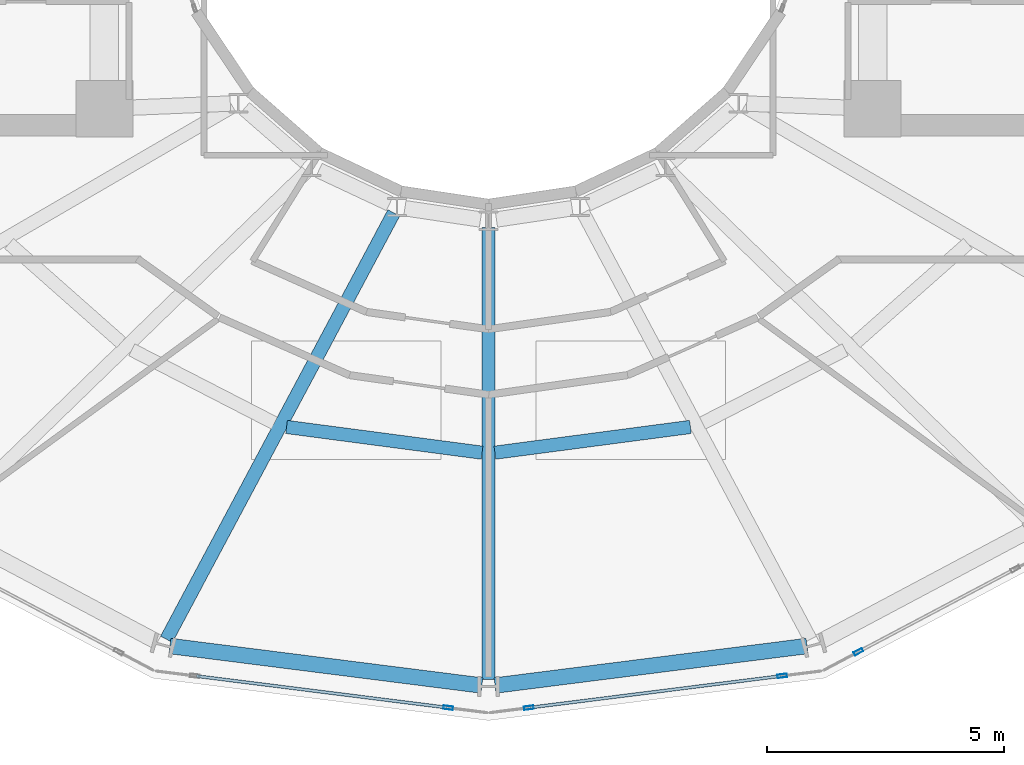
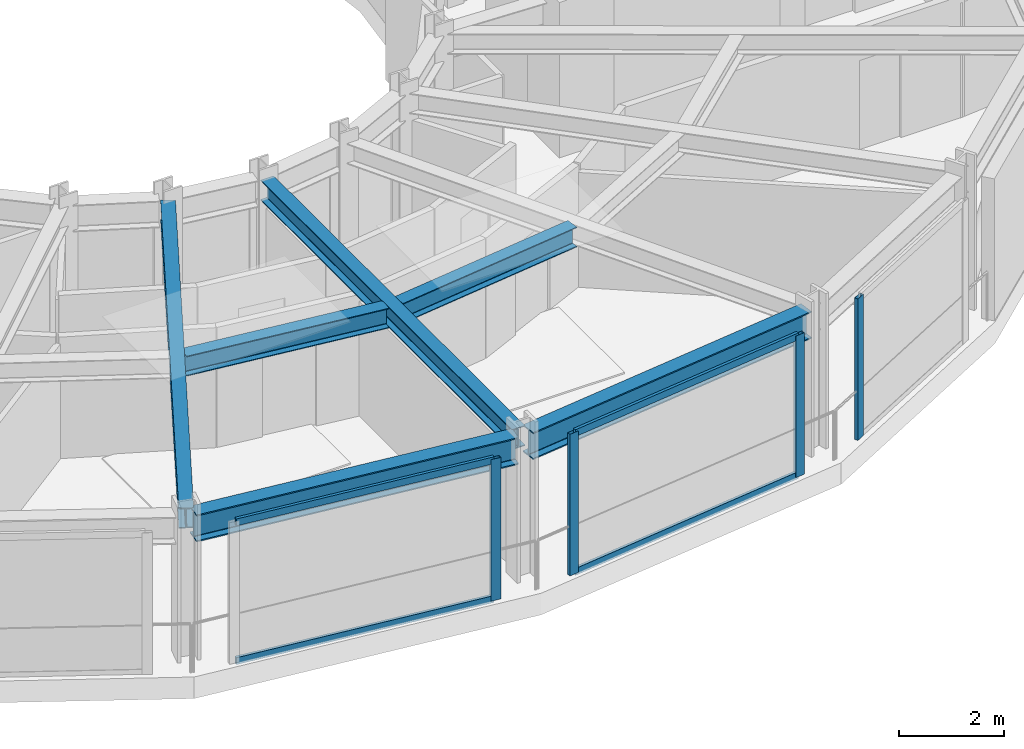
# One storey, part 4 of 25: 8 members, 6 beams, 3 elements without a shape of their own.
"""IFC4 building model written with IfcOpenShell, lengths in metres."""

from ifc_helpers import new_model, si_unit, direction, frame, origin, origin_2d, place, context, subcontext, project, spatial, hollow_rectangle, i_section, extrude, material, layer, layer_set, material_profile, profile_set, type_object, element, aggregate, save


model = new_model("IFC4")

# Units and contexts
model_context = context("Model", 3, precision=1e-05, world=origin(), true_north=direction((0.0, 1.0)))
body_context = subcontext(model_context, "Body", "Model", "MODEL_VIEW")
ifc_project = project(units=[si_unit("LENGTHUNIT", "METRE"), si_unit("AREAUNIT", "SQUARE_METRE"), si_unit("VOLUMEUNIT", "CUBIC_METRE"), si_unit("PLANEANGLEUNIT", "RADIAN"), si_unit("MASSUNIT", "GRAM", prefix="KILO")], contexts=[model_context])

# Site, building, storey
site_placement = place(None, origin())
site = spatial("IfcSite", under=ifc_project, at=site_placement, CompositionType="ELEMENT")
building_placement = place(site_placement, origin())
building = spatial("IfcBuilding", under=site, at=building_placement, Name="Solvane Sanctuary Tower", CompositionType="ELEMENT")
storey_placement = place(building_placement, frame((0.0, 0.0, 238.800048828125)))
storey = spatial("IfcBuildingStorey", under=building, at=storey_placement, Name="L73", CompositionType="ELEMENT", Elevation=238.800048828125)

# Beams
ifc_material_1 = material(Name="Steel ASTM A992 Grade 50", Category="steel")
ifc_material_profile_1 = material_profile(ifc_material_1, i_section(OverallWidth=0.282958984375, OverallDepth=0.471923828125, WebThickness=0.013671875, FlangeThickness=0.022216796875, FilletRadius=0.013916015625, at=origin_2d()), Name="W18X97")
ifc_profile_set_1 = profile_set([ifc_material_profile_1], Name="Steel ASTM A992 Grade 50")
beam_type_1 = type_object("IfcBeamType", Name="Beam B-RAD-Z4 W18X97", PredefinedType="JOIST", material=ifc_profile_set_1)
beam_1_placement = place(storey_placement, frame((30.00341796875, 14.704833984375, 3.08203125), z_axis=(-0.470405435304, -0.882450410185, 0.0), x_axis=(0.882450410185, -0.470405435304, 0.0)))
element("IfcBeam", 1, at=beam_1_placement, inside=storey, type_object=beam_type_1, Name="L73 Radial Composite Floor Beam 10", PredefinedType="JOIST", context=body_context, shape_type="SweptSolid", body=[
    extrude(i_section(OverallWidth=0.282958984375, OverallDepth=0.471923828125, WebThickness=0.013671875, FlangeThickness=0.022216796875, FilletRadius=0.013916015625, at=origin_2d()), origin(), (0.0, 0.0, 1.0), 10.190673828125),
])
beam_2_placement = place(storey_placement, frame((32.0, 14.39990234375, 3.08203125), z_axis=(0.0, -1.0, 0.0), x_axis=(1.0, 0.0, 0.0)))
element("IfcBeam", 2, at=beam_2_placement, inside=storey, type_object=beam_type_1, Name="L73 Radial Composite Floor Beam 11", PredefinedType="JOIST", context=body_context, shape_type="SweptSolid", body=[
    extrude(i_section(OverallWidth=0.282958984375, OverallDepth=0.471923828125, WebThickness=0.013671875, FlangeThickness=0.022216796875, FilletRadius=0.013916015625, at=origin_2d()), origin(), (0.0, 0.0, 1.0), 9.539794921875),
])
ifc_material_profile_2 = material_profile(ifc_material_1, i_section(OverallWidth=0.280029296875, OverallDepth=0.462890625, WebThickness=0.0107421875, FlangeThickness=0.017333984375, FilletRadius=0.013916015625, at=origin_2d()), Name="W18X76")
ifc_profile_set_2 = profile_set([ifc_material_profile_2], Name="Steel ASTM A992 Grade 50")
beam_type_2 = type_object("IfcBeamType", Name="Beam B-SEC-JOIST W18X76", PredefinedType="JOIST", material=ifc_profile_set_2)
for number, where, z_axis, x_axis, name in (
    (3, (27.74169921875, 10.190673828125, 3.08642578125), (0.991439902559, -0.130563852634, 0.0), (0.130563852634, 0.991439902559, 0.0), "L73 Secondary Circumferential Joist 10-11"),
    (4, (32.13525390625, 9.647705078125, 3.08642578125), (0.991439902559, 0.130563852634, 0.0), (-0.130563852634, 0.991439902559, 0.0), "L73 Secondary Circumferential Joist 11-12"),
):
    element("IfcBeam", number, at=place(storey_placement, frame(where, z_axis=z_axis, x_axis=x_axis)), inside=storey, type_object=beam_type_2, Name=name, PredefinedType="JOIST", context=body_context, shape_type="SweptSolid", body=[
        extrude(i_section(OverallWidth=0.280029296875, OverallDepth=0.462890625, WebThickness=0.0107421875, FlangeThickness=0.017333984375, FilletRadius=0.013916015625, at=origin_2d()), origin(), (0.0, 0.0, 1.0), 4.15869140625),
    ])
ifc_material_profile_3 = material_profile(ifc_material_1, i_section(OverallWidth=0.327880859375, OverallDepth=0.6279296875, WebThickness=0.0166015625, FlangeThickness=0.027587890625, FilletRadius=0.01611328125, at=origin_2d()), Name="W24X146")
ifc_profile_set_3 = profile_set([ifc_material_profile_3], Name="Steel ASTM A992 Grade 50")
beam_type_3 = type_object("IfcBeamType", Name="Beam B-SPAND-Z3 W24X146", PredefinedType="SPANDREL", material=ifc_profile_set_3)
for number, where, z_axis, x_axis, name in (
    (5, (25.28271484375, 5.571044921875, 3.00390625), (0.992068601394, -0.125697613849, 0.0), (0.125697613849, 0.992068601394, 0.0), "L73 Perimeter Spandrel Beam TC10-TC11"),
    (6, (32.138916015625, 4.737548828125, 3.00390625), (0.992068601394, 0.125697613849, 0.0), (-0.125697613849, 0.992068601394, 0.0), "L73 Perimeter Spandrel Beam TC11-TC12"),
):
    element("IfcBeam", number, at=place(storey_placement, frame(where, z_axis=z_axis, x_axis=x_axis)), inside=storey, type_object=beam_type_3, Name=name, PredefinedType="SPANDREL", context=body_context, shape_type="SweptSolid", body=[
        extrude(i_section(OverallWidth=0.327880859375, OverallDepth=0.6279296875, WebThickness=0.0166015625, FlangeThickness=0.027587890625, FilletRadius=0.01611328125, at=origin_2d()), origin(), (0.0, 0.0, 1.0), 6.630859375),
    ])

# Curtain wall, member
ifc_material_2 = material(Name="Anodised Aluminium 6063-T6", Category="aluminium")
ifc_layer = layer(ifc_material_2, 0.18994140625, Name="Anodised Aluminium 6063-T6")
ifc_layer_set = layer_set([ifc_layer], Name="Anodised Aluminium 6063-T6")
curtain_wall_type = type_object("IfcCurtainWallType", Name="Curtain Wall CW-OPER", PredefinedType="NOTDEFINED", material=ifc_layer_set)
curtain_wall_1_placement = place(storey_placement, origin())
curtain_wall_1 = element("IfcCurtainWall", 7, at=curtain_wall_1_placement, inside=storey, type_object=curtain_wall_type, Name="L73 CW-OPER Facade Run 17", PredefinedType="NOTDEFINED")
ifc_material_profile_4 = material_profile(ifc_material_2, hollow_rectangle(XDim=0.074951171875, YDim=0.199951171875, WallThickness=0.00390625, at=origin_2d()), Name="ALU200X75X4")
ifc_profile_set_4 = profile_set([ifc_material_profile_4], Name="Anodised Aluminium 6063-T6")
member_type_1 = type_object("IfcMemberType", Name="Member M-CW-MUL-1 ALU200X75X4", PredefinedType="MULLION", material=ifc_profile_set_4)
member_1_placement = place(storey_placement, frame((31.149169921875, 4.269287109375, 0.0), z_axis=(0.0, 0.0, 1.0), x_axis=(0.124814850727, 0.992180050716, 0.0)))
member_1 = element("IfcMember", 8, at=member_1_placement, type_object=member_type_1, Name="CW-OPER mullion 2", PredefinedType="MULLION", context=body_context, shape_type="SweptSolid", body=[
    extrude(hollow_rectangle(XDim=0.074951171875, YDim=0.199951171875, WallThickness=0.00390625, at=origin_2d()), origin(), (0.0, 0.0, 1.0), 3.280029296875),
])

# Curtain wall, members
curtain_wall_2_placement = place(storey_placement, origin())
curtain_wall_2 = element("IfcCurtainWall", 9, at=curtain_wall_2_placement, inside=storey, type_object=curtain_wall_type, Name="L73 CW-OPER Facade Run 18", PredefinedType="NOTDEFINED")
member_2_placement = place(storey_placement, frame((32.850830078125, 4.269287109375, 0.0), z_axis=(0.0, 0.0, 1.0), x_axis=(-0.124814850727, 0.992180050716, 0.0)))
member_2 = element("IfcMember", 10, at=member_2_placement, type_object=member_type_1, Name="CW-OPER mullion 1", PredefinedType="MULLION", context=body_context, shape_type="SweptSolid", body=[
    extrude(hollow_rectangle(XDim=0.074951171875, YDim=0.199951171875, WallThickness=0.00390625, at=origin_2d()), origin(), (0.0, 0.0, 1.0), 3.280029296875),
])
member_3_placement = place(storey_placement, frame((38.192138671875, 4.941162109375, 0.0), z_axis=(0.0, 0.0, 1.0), x_axis=(-0.124814850727, 0.992180050716, 0.0)))
member_3 = element("IfcMember", 11, at=member_3_placement, type_object=member_type_1, Name="CW-OPER mullion 2", PredefinedType="MULLION", context=body_context, shape_type="SweptSolid", body=[
    extrude(hollow_rectangle(XDim=0.074951171875, YDim=0.199951171875, WallThickness=0.00390625, at=origin_2d()), origin(), (0.0, 0.0, 1.0), 3.280029296875),
])

# Curtain wall, member
curtain_wall_3_placement = place(storey_placement, origin())
curtain_wall_3 = element("IfcCurtainWall", 12, at=curtain_wall_3_placement, inside=storey, type_object=curtain_wall_type, Name="L73 CW-OPER Facade Run 19", PredefinedType="NOTDEFINED")
member_4_placement = place(storey_placement, frame((39.801025390625, 5.448974609375, 0.0), z_axis=(0.0, 0.0, 1.0), x_axis=(-0.467523293544, 0.883980752049, 0.0)))
member_4 = element("IfcMember", 13, at=member_4_placement, type_object=member_type_1, Name="CW-OPER mullion 1", PredefinedType="MULLION", context=body_context, shape_type="SweptSolid", body=[
    extrude(hollow_rectangle(XDim=0.074951171875, YDim=0.199951171875, WallThickness=0.00390625, at=origin_2d()), origin(), (0.0, 0.0, 1.0), 3.280029296875),
])
aggregate(curtain_wall_3, [member_4])

# Member
ifc_material_profile_5 = material_profile(ifc_material_2, hollow_rectangle(XDim=0.06494140625, YDim=0.159912109375, WallThickness=0.00341796875, at=origin_2d()), Name="ALU160X65X3.5")
ifc_profile_set_5 = profile_set([ifc_material_profile_5], Name="Anodised Aluminium 6063-T6")
member_type_2 = type_object("IfcMemberType", Name="Member M-CW-TRN-1 ALU160X65X3.5", PredefinedType="USERDEFINED", material=ifc_profile_set_5)
member_5_placement = place(storey_placement, frame((25.844970703125, 4.9365234375, 0.032470703125), z_axis=(0.992179929781, -0.124815812062, 0.0), x_axis=(0.124815812062, 0.992179929781, 0.0)))
member_5 = element("IfcMember", 14, at=member_5_placement, type_object=member_type_2, Name="CW-OPER transom 1.1", ObjectType="TRANSOM", PredefinedType="USERDEFINED", context=body_context, shape_type="SweptSolid", body=[
    extrude(hollow_rectangle(XDim=0.06494140625, YDim=0.159912109375, WallThickness=0.00341796875, at=origin_2d()), origin(), (0.0, 0.0, 1.0), 5.30859375),
])

member_6_placement = place(storey_placement, frame((25.844970703125, 4.9365234375, 3.24755859375), z_axis=(0.992179929781, -0.124815812062, 0.0), x_axis=(0.124815812062, 0.992179929781, 0.0)))
member_6 = element("IfcMember", 15, at=member_6_placement, type_object=member_type_2, Name="CW-OPER transom 1.2", ObjectType="TRANSOM", PredefinedType="USERDEFINED", context=body_context, shape_type="SweptSolid", body=[
    extrude(hollow_rectangle(XDim=0.06494140625, YDim=0.159912109375, WallThickness=0.00341796875, at=origin_2d()), origin(), (0.0, 0.0, 1.0), 5.30859375),
])

aggregate(curtain_wall_1, [member_1, member_5, member_6])

member_7_placement = place(storey_placement, frame((32.887939453125, 4.27392578125, 0.032470703125), z_axis=(0.992179929781, 0.124815812062, 0.0), x_axis=(-0.124815812062, 0.992179929781, 0.0)))
member_7 = element("IfcMember", 16, at=member_7_placement, type_object=member_type_2, Name="CW-OPER transom 1.1", ObjectType="TRANSOM", PredefinedType="USERDEFINED", context=body_context, shape_type="SweptSolid", body=[
    extrude(hollow_rectangle(XDim=0.06494140625, YDim=0.159912109375, WallThickness=0.00341796875, at=origin_2d()), origin(), (0.0, 0.0, 1.0), 5.30859375),
])

member_8_placement = place(storey_placement, frame((32.887939453125, 4.27392578125, 3.24755859375), z_axis=(0.992179929781, 0.124815812062, 0.0), x_axis=(-0.124815812062, 0.992179929781, 0.0)))
member_8 = element("IfcMember", 17, at=member_8_placement, type_object=member_type_2, Name="CW-OPER transom 1.2", ObjectType="TRANSOM", PredefinedType="USERDEFINED", context=body_context, shape_type="SweptSolid", body=[
    extrude(hollow_rectangle(XDim=0.06494140625, YDim=0.159912109375, WallThickness=0.00341796875, at=origin_2d()), origin(), (0.0, 0.0, 1.0), 5.30859375),
])

aggregate(curtain_wall_2, [member_2, member_3, member_7, member_8])

save(model, "model.ifc")
